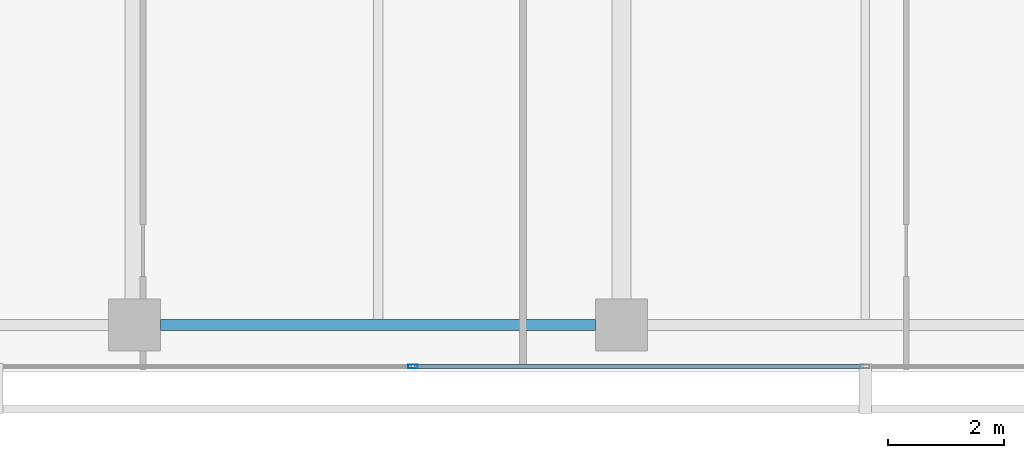
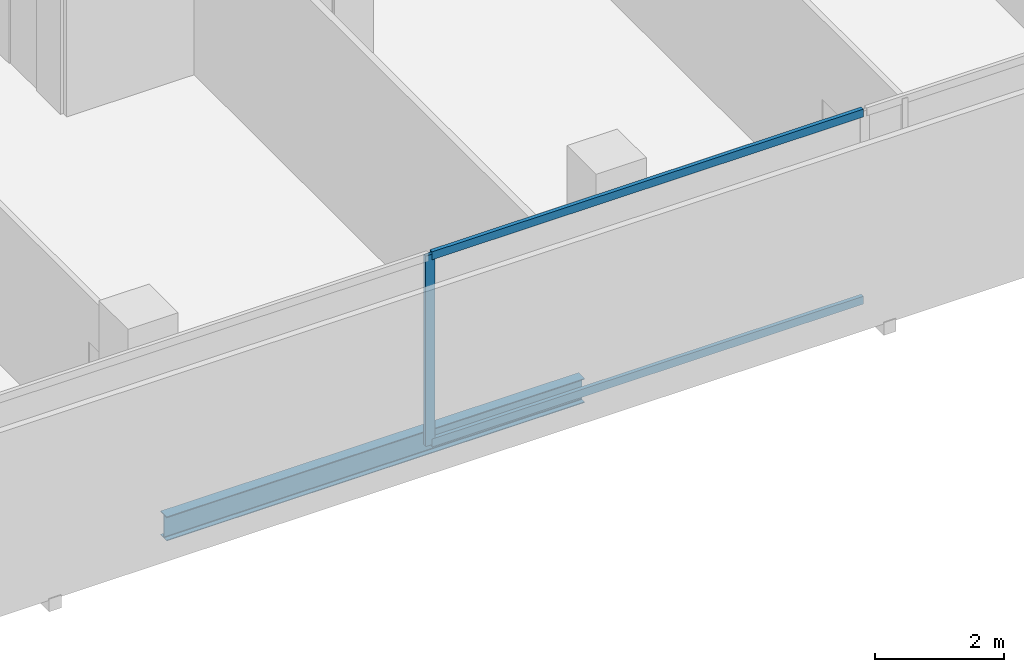
# One storey, part 7 of 39: 3 members, 1 beam, 1 element without a shape of its own.
"""IFC4 building model written with IfcOpenShell, lengths in metres."""

from ifc_helpers import new_model, si_unit, direction, frame, origin, origin_2d, place, context, subcontext, project, spatial, hollow_rectangle, i_section, extrude, material, layer, layer_set, material_profile, profile_set, type_object, element, aggregate, save


model = new_model("IFC4")

# Units and contexts
model_context = context("Model", 3, precision=1e-05, world=origin(), true_north=direction((0.0, 1.0)))
body_context = subcontext(model_context, "Body", "Model", "MODEL_VIEW")
ifc_project = project(units=[si_unit("LENGTHUNIT", "METRE"), si_unit("AREAUNIT", "SQUARE_METRE"), si_unit("VOLUMEUNIT", "CUBIC_METRE"), si_unit("PLANEANGLEUNIT", "RADIAN"), si_unit("MASSUNIT", "GRAM", prefix="KILO")], contexts=[model_context])

# Site, building, storey
site_placement = place(None, origin())
site = spatial("IfcSite", under=ifc_project, at=site_placement, CompositionType="ELEMENT")
building_placement = place(site_placement, origin())
building = spatial("IfcBuilding", under=site, at=building_placement, Name="Maruvema Waterfront Hotel and Observation Tower", CompositionType="ELEMENT")
storey_placement = place(building_placement, frame((0.0, 0.0, 65.449951171875)))
storey = spatial("IfcBuildingStorey", under=building, at=storey_placement, Name="L15", CompositionType="ELEMENT", Elevation=65.449951171875)

# Curtain wall, members
ifc_material_1 = material(Name="Anodised bronze aluminium and solar-control low-E IGU", Category="aluminium")
ifc_layer = layer(ifc_material_1, 0.159912109375, Name="Zone 1 Bronze Inner Thermal Curtain Wall System CW-02")
ifc_layer_set = layer_set([ifc_layer], Name="Anodised bronze aluminium and solar-control low-E IGU")
curtain_wall_type = type_object("IfcCurtainWallType", Name="Zone 1 Bronze Inner Thermal Curtain Wall System CW-02", PredefinedType="USERDEFINED", material=ifc_layer_set)
curtain_wall_placement = place(storey_placement, origin())
curtain_wall = element("IfcCurtainWall", 1, at=curtain_wall_placement, inside=storey, type_object=curtain_wall_type, Name="L15 Curtain Wall CW-L15-S", ObjectType="UNITISED CURTAIN WALL", PredefinedType="USERDEFINED")
ifc_material_2 = material(Name="Anodised architectural bronze aluminium", Category="aluminium")
ifc_material_profile_1 = material_profile(ifc_material_2, hollow_rectangle(XDim=0.070068359375, YDim=0.14990234375, WallThickness=0.00390625, at=origin_2d()), Name="ALU-T70x150")
ifc_profile_set_1 = profile_set([ifc_material_profile_1], Name="Anodised architectural bronze aluminium")
member_type_1 = type_object("IfcMemberType", Name="Curtain Wall Horizontal Transom ALU-T70x150", PredefinedType="USERDEFINED", material=ifc_profile_set_1)
member_1_placement = place(storey_placement, frame((30.030029296875, 0.080078125, 0.030029296875), z_axis=(1.0, 0.0, 0.0), x_axis=(0.0, 1.0, 0.0)))
member_1 = element("IfcMember", 2, at=member_1_placement, type_object=member_type_1, Name="CW-02 transom 3.1", ObjectType="TRANSOM", PredefinedType="USERDEFINED", context=body_context, shape_type="SweptSolid", body=[
    extrude(hollow_rectangle(XDim=0.070068359375, YDim=0.14990234375, WallThickness=0.00390625, at=origin_2d()), origin(), (0.0, 0.0, 1.0), 7.739990234375),
])
member_2_placement = place(storey_placement, frame((30.030029296875, 0.080078125, 3.580078125), z_axis=(1.0, 0.0, 0.0), x_axis=(0.0, 1.0, 0.0)))
member_2 = element("IfcMember", 3, at=member_2_placement, type_object=member_type_1, Name="CW-02 transom 3.2", ObjectType="TRANSOM", PredefinedType="USERDEFINED", context=body_context, shape_type="SweptSolid", body=[
    extrude(hollow_rectangle(XDim=0.070068359375, YDim=0.14990234375, WallThickness=0.00390625, at=origin_2d()), origin(), (0.0, 0.0, 1.0), 7.739990234375),
])
ifc_material_3 = material(Name="Anodised architectural bronze aluminium", Category="aluminium")
ifc_material_profile_2 = material_profile(ifc_material_3, hollow_rectangle(XDim=0.06494140625, YDim=0.1650390625, WallThickness=0.00390625, at=origin_2d()), Name="ALU-M65x165")
ifc_profile_set_2 = profile_set([ifc_material_profile_2], Name="Anodised architectural bronze aluminium")
member_type_2 = type_object("IfcMemberType", Name="Curtain Wall Primary Mullion ALU-M65x165", PredefinedType="MULLION", material=ifc_profile_set_2)
member_3_placement = place(storey_placement, frame((30.0, 0.080078125, 0.0), z_axis=(0.0, 0.0, 1.0), x_axis=(0.0, 1.0, 0.0)))
member_3 = element("IfcMember", 4, at=member_3_placement, type_object=member_type_2, Name="CW-02 mullion 3", PredefinedType="MULLION", context=body_context, shape_type="SweptSolid", body=[
    extrude(hollow_rectangle(XDim=0.06494140625, YDim=0.1650390625, WallThickness=0.00390625, at=origin_2d()), origin(), (0.0, 0.0, 1.0), 3.610107421875),
])
aggregate(curtain_wall, [member_3, member_1, member_2])

# Beam
ifc_material_4 = material(Name="Steel ASTM A572 Grade 50", Category="steel")
ifc_material_profile_3 = material_profile(ifc_material_4, i_section(OverallWidth=0.18994140625, OverallDepth=0.45703125, WebThickness=0.009033203125, FlangeThickness=0.014404296875, FilletRadius=0.014892578125, at=origin_2d()), Name="W460x74.0")
ifc_profile_set_3 = profile_set([ifc_material_profile_3], Name="Steel ASTM A572 Grade 50")
beam_type = type_object("IfcBeamType", Name="Perimeter Spandrel Beam W460x74.0", PredefinedType="SPANDREL", material=ifc_profile_set_3)
beam_placement = place(storey_placement, frame((25.64990234375, 0.800048828125, -0.468505859375), z_axis=(1.0, 0.0, 0.0), x_axis=(0.0, 1.0, 0.0)))
element("IfcBeam", 5, at=beam_placement, inside=storey, type_object=beam_type, Name="L15 Floor Girder EW-02", PredefinedType="SPANDREL", context=body_context, shape_type="SweptSolid", body=[
    extrude(i_section(OverallWidth=0.18994140625, OverallDepth=0.45703125, WebThickness=0.009033203125, FlangeThickness=0.014404296875, FilletRadius=0.014892578125, at=origin_2d()), origin(), (0.0, 0.0, 1.0), 7.5),
])

save(model, "model.ifc")
